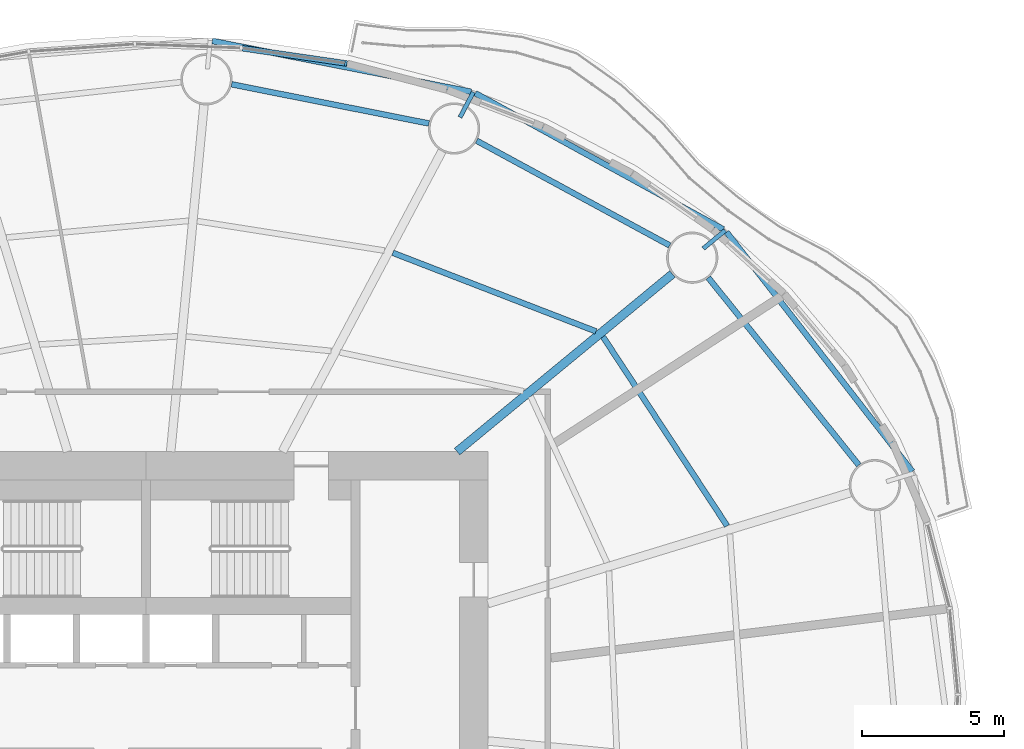
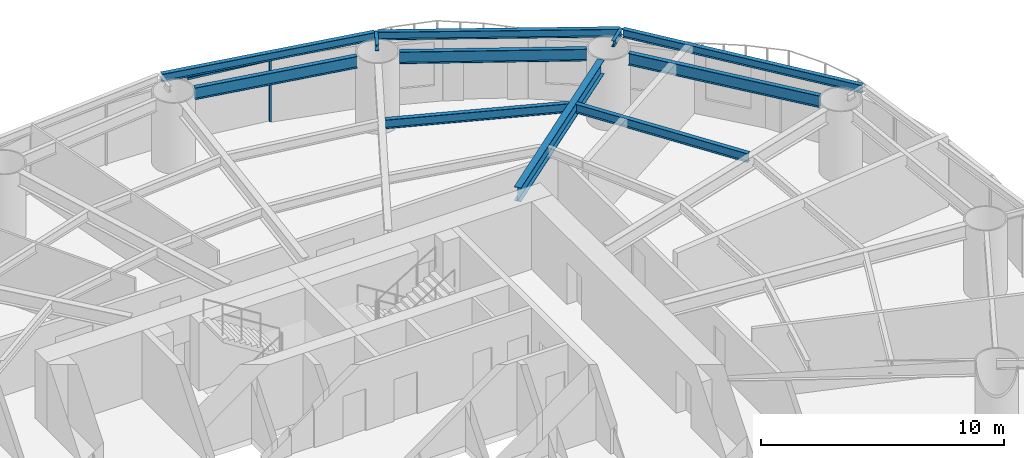
# One storey, part 6 of 17: 11 beams, 2 members, 1 element without a shape of its own.
"""IFC4 building model written with IfcOpenShell, lengths in metres."""

from ifc_helpers import new_model, si_unit, direction, frame, origin, origin_2d, place, context, subcontext, project, spatial, rectangle, i_section, extrude, material, material_profile, profile_set, type_object, element, aggregate, save


model = new_model("IFC4")

# Units and contexts
model_context = context("Model", 3, precision=1e-05, world=origin(), true_north=direction((0.0, 1.0)))
body_context = subcontext(model_context, "Body", "Model", "MODEL_VIEW")
ifc_project = project(units=[si_unit("LENGTHUNIT", "METRE"), si_unit("AREAUNIT", "SQUARE_METRE"), si_unit("VOLUMEUNIT", "CUBIC_METRE"), si_unit("PLANEANGLEUNIT", "RADIAN"), si_unit("MASSUNIT", "GRAM", prefix="KILO")], contexts=[model_context])

# Site, building, storey
site_placement = place(None, origin())
site = spatial("IfcSite", under=ifc_project, at=site_placement, CompositionType="ELEMENT")
building_placement = place(site_placement, origin())
building = spatial("IfcBuilding", under=site, at=building_placement, Name="Vermilion Reach Broadcast Tower", CompositionType="ELEMENT")
storey_placement = place(building_placement, frame((0.0, 0.0, 39.699951171875)))
storey = spatial("IfcBuildingStorey", under=building, at=storey_placement, Name="L06", CompositionType="ELEMENT", Elevation=39.699951171875)

# Beams
ifc_material_1 = material(Name="Steel S355J2", Category="steel")
ifc_material_profile_1 = material_profile(ifc_material_1, i_section(OverallWidth=0.199951171875, OverallDepth=0.39990234375, WebThickness=0.008056640625, FlangeThickness=0.012939453125, at=origin_2d()), Name="S355J2 HN 400x200x8x13")
ifc_profile_set_1 = profile_set([ifc_material_profile_1], Name="Steel S355J2")
beam_type_1 = type_object("IfcBeamType", Name="EB1 HN 400x200x8x13", PredefinedType="BEAM", material=ifc_profile_set_1)
beam_1_placement = place(storey_placement, frame((20.89013671875, 8.3046875, 3.35009765625), z_axis=(-0.613201005057, 0.789926912694, 0.0), x_axis=(-0.789926912694, -0.613201005057, 0.0)))
element("IfcBeam", 1, at=beam_1_placement, inside=storey, type_object=beam_type_1, Name="Edge beam EB1-01", PredefinedType="BEAM", context=body_context, shape_type="SweptSolid", body=[
    extrude(i_section(OverallWidth=0.199951171875, OverallDepth=0.39990234375, WebThickness=0.008056640625, FlangeThickness=0.012939453125, at=origin_2d()), origin(), (0.0, 0.0, 1.0), 10.63037109375),
])
beam_2_placement = place(storey_placement, frame((14.2548828125, 16.800048828125, 3.35009765625), z_axis=(-0.876628386575, 0.481168028709, 0.0), x_axis=(-0.481168028709, -0.876628386575, 0.0)))
element("IfcBeam", 2, at=beam_2_placement, inside=storey, type_object=beam_type_1, Name="Edge beam EB1-02", PredefinedType="BEAM", context=body_context, shape_type="SweptSolid", body=[
    extrude(i_section(OverallWidth=0.199951171875, OverallDepth=0.39990234375, WebThickness=0.008056640625, FlangeThickness=0.012939453125, at=origin_2d()), origin(), (0.0, 0.0, 1.0), 9.927001953125),
])
beam_3_placement = place(storey_placement, frame((5.409912109375, 21.627685546875, 3.35009765625), z_axis=(-0.981310136969, 0.192432884616, 0.0), x_axis=(-0.192432884616, -0.981310136969, 0.0)))
element("IfcBeam", 3, at=beam_3_placement, inside=storey, type_object=beam_type_1, Name="Edge beam EB1-03", PredefinedType="BEAM", context=body_context, shape_type="SweptSolid", body=[
    extrude(i_section(OverallWidth=0.199951171875, OverallDepth=0.39990234375, WebThickness=0.008056640625, FlangeThickness=0.012939453125, at=origin_2d()), origin(), (0.0, 0.0, 1.0), 9.2578125),
])
ifc_material_2 = material(Name="Steel S355J2", Category="steel")
ifc_material_profile_2 = material_profile(ifc_material_2, i_section(OverallWidth=0.300048828125, OverallDepth=0.699951171875, WebThickness=0.012939453125, FlangeThickness=0.02392578125, at=origin_2d()), Name="S355J2 HN 700x300x13x24")
ifc_profile_set_2 = profile_set([ifc_material_profile_2], Name="Steel S355J2")
beam_type_2 = type_object("IfcBeamType", Name="G1 HN 700x300x13x24", PredefinedType="BEAM", material=ifc_profile_set_2)
beam_4_placement = place(storey_placement, frame((4.9140625, 9.0, 3.199951171875), z_axis=(0.771514256373, 0.636212034005, 0.0), x_axis=(-0.636212034005, 0.771514256373, 0.0)))
element("IfcBeam", 4, at=beam_4_placement, inside=storey, type_object=beam_type_2, Name="Girder G1-02", PredefinedType="BEAM", context=body_context, shape_type="SweptSolid", body=[
    extrude(i_section(OverallWidth=0.300048828125, OverallDepth=0.699951171875, WebThickness=0.012939453125, FlangeThickness=0.02392578125, at=origin_2d()), origin(), (0.0, 0.0, 1.0), 9.796142578125),
])
ifc_material_3 = material(Name="Steel S355J2", Category="steel")
ifc_material_profile_3 = material_profile(ifc_material_3, i_section(OverallWidth=0.14990234375, OverallDepth=0.300048828125, WebThickness=0.006591796875, FlangeThickness=0.009033203125, at=origin_2d()), Name="S355J2 HN 300x150x6.5x9")
ifc_profile_set_3 = profile_set([ifc_material_profile_3], Name="Steel S355J2")
beam_type_3 = type_object("IfcBeamType", Name="GS1 HN 300x150x6.5x9", PredefinedType="BEAM", material=ifc_profile_set_3)
for number, where, z_axis, x_axis, name in (
    (5, (13.55419921875, 16.125, 3.400146484375), (0.771493112118, 0.636237674108, 0.0), (-0.636237674108, 0.771493112118, 0.0), "Cantilever stub GS1-02"),
    (6, (5.017578125, 20.7294921875, 3.400146484375), (0.469244476458, 0.883068299348, 0.0), (-0.883068299348, 0.469244476458, 0.0), "Cantilever stub GS1-03"),
):
    element("IfcBeam", number, at=place(storey_placement, frame(where, z_axis=z_axis, x_axis=x_axis)), inside=storey, type_object=beam_type_3, Name=name, PredefinedType="BEAM", context=body_context, shape_type="SweptSolid", body=[
        extrude(i_section(OverallWidth=0.14990234375, OverallDepth=0.300048828125, WebThickness=0.006591796875, FlangeThickness=0.009033203125, at=origin_2d()), origin(), (0.0, 0.0, 1.0), 1.0),
    ])
ifc_material_4 = material(Name="Steel S355J2", Category="steel")
ifc_material_profile_4 = material_profile(ifc_material_4, i_section(OverallWidth=0.199951171875, OverallDepth=0.60009765625, WebThickness=0.010986328125, FlangeThickness=0.01708984375, at=origin_2d()), Name="S355J2 HN 600x200x11x17")
ifc_profile_set_4 = profile_set([ifc_material_profile_4], Name="Steel S355J2")
beam_type_4 = type_object("IfcBeamType", Name="RB1 HN 600x200x11x17", PredefinedType="BEAM", material=ifc_profile_set_4)
beam_5_placement = place(storey_placement, frame((19.011962890625, 8.52587890625, 3.25), z_axis=(-0.626162157191, 0.779692858055, 0.0), x_axis=(-0.779692858055, -0.626162157191, 0.0)))
element("IfcBeam", 7, at=beam_5_placement, inside=storey, type_object=beam_type_4, Name="Ring beam RB1-01", PredefinedType="BEAM", context=body_context, shape_type="SweptSolid", body=[
    extrude(i_section(OverallWidth=0.199951171875, OverallDepth=0.60009765625, WebThickness=0.010986328125, FlangeThickness=0.01708984375, at=origin_2d()), origin(), (0.0, 0.0, 1.0), 8.435791015625),
])
beam_6_placement = place(storey_placement, frame((12.375244140625, 16.234130859375, 3.25), z_axis=(-0.878962319551, 0.476891225344, 0.0), x_axis=(-0.476891225344, -0.878962319551, 0.0)))
element("IfcBeam", 8, at=beam_6_placement, inside=storey, type_object=beam_type_4, Name="Ring beam RB1-02", PredefinedType="BEAM", context=body_context, shape_type="SweptSolid", body=[
    extrude(i_section(OverallWidth=0.199951171875, OverallDepth=0.60009765625, WebThickness=0.010986328125, FlangeThickness=0.01708984375, at=origin_2d()), origin(), (0.0, 0.0, 1.0), 7.707275390625),
])
beam_7_placement = place(storey_placement, frame((3.927001953125, 20.51416015625, 3.25), z_axis=(-0.980857717995, 0.194725799651, 0.0), x_axis=(-0.194725799651, -0.980857717995, 0.0)))
element("IfcBeam", 9, at=beam_7_placement, inside=storey, type_object=beam_type_4, Name="Ring beam RB1-03", PredefinedType="BEAM", context=body_context, shape_type="SweptSolid", body=[
    extrude(i_section(OverallWidth=0.199951171875, OverallDepth=0.60009765625, WebThickness=0.010986328125, FlangeThickness=0.01708984375, at=origin_2d()), origin(), (0.0, 0.0, 1.0), 7.05859375),
])
ifc_material_5 = material(Name="Steel S355J2", Category="steel")
ifc_material_profile_5 = material_profile(ifc_material_5, i_section(OverallWidth=0.199951171875, OverallDepth=0.449951171875, WebThickness=0.009033203125, FlangeThickness=0.013916015625, at=origin_2d()), Name="S355J2 HN 450x200x9x14")
ifc_profile_set_5 = profile_set([ifc_material_profile_5], Name="Steel S355J2")
beam_type_5 = type_object("IfcBeamType", Name="SB1 HN 450x200x9x14", PredefinedType="BEAM", material=ifc_profile_set_5)
beam_8_placement = place(storey_placement, frame((14.390625, 6.394775390625, 3.324951171875), z_axis=(-0.548800909102, 0.835953086105, 0.0), x_axis=(-0.835953086105, -0.548800909102, 0.0)))
element("IfcBeam", 10, at=beam_8_placement, inside=storey, type_object=beam_type_5, Name="Secondary beam SB1-01-2", PredefinedType="BEAM", context=body_context, shape_type="SweptSolid", body=[
    extrude(i_section(OverallWidth=0.199951171875, OverallDepth=0.449951171875, WebThickness=0.009033203125, FlangeThickness=0.013916015625, at=origin_2d()), origin(), (0.0, 0.0, 1.0), 7.935791015625),
])
beam_9_placement = place(storey_placement, frame((9.7919921875, 13.217041015625, 3.324951171875), z_axis=(-0.932680743753, 0.360702966765, 0.0), x_axis=(-0.360702966765, -0.932680743753, 0.0)))
element("IfcBeam", 11, at=beam_9_placement, inside=storey, type_object=beam_type_5, Name="Secondary beam SB1-02-2", PredefinedType="BEAM", context=body_context, shape_type="SweptSolid", body=[
    extrude(i_section(OverallWidth=0.199951171875, OverallDepth=0.449951171875, WebThickness=0.009033203125, FlangeThickness=0.013916015625, at=origin_2d()), origin(), (0.0, 0.0, 1.0), 7.646240234375),
])

# Curtain wall, members
ifc_material_6 = material(Name="Low-e laminated clear glass in aluminium frame", Category="aluminium")
curtain_wall_type = type_object("IfcCurtainWallType", Name="Slot curtain wall", PredefinedType="NOTDEFINED", material=ifc_material_6)
curtain_wall_placement = place(storey_placement, origin())
curtain_wall = element("IfcCurtainWall", 12, at=curtain_wall_placement, inside=storey, type_object=curtain_wall_type, Name="Slot curtain wall L06 10", PredefinedType="NOTDEFINED")
ifc_material_7 = material(Name="Anodised aluminium", Category="aluminium")
ifc_material_profile_6 = material_profile(ifc_material_7, rectangle(XDim=0.199951171875, YDim=0.080078125, at=origin_2d()), Name="Slot mullion 80 x 200")
ifc_profile_set_6 = profile_set([ifc_material_profile_6], Name="Anodised aluminium")
member_type_1 = type_object("IfcMemberType", Name="Slot mullion 80 x 200", PredefinedType="MULLION", material=ifc_profile_set_6)
member_1_placement = place(storey_placement, frame((1.011474609375, 22.623046875, 0.0), z_axis=(0.0, 0.0, 1.0), x_axis=(-0.198358830288, -0.980129468207, 0.0)))
member_1 = element("IfcMember", 13, at=member_1_placement, type_object=member_type_1, Name="Slot mullion L06 10", PredefinedType="MULLION", context=body_context, shape_type="SweptSolid", body=[
    extrude(rectangle(XDim=0.199951171875, YDim=0.080078125, at=origin_2d()), origin(), (0.0, 0.0, 1.0), 3.150146484375),
])
ifc_material_8 = material(Name="Anodised aluminium", Category="aluminium")
ifc_material_profile_7 = material_profile(ifc_material_8, rectangle(XDim=0.199951171875, YDim=0.10009765625, at=origin_2d()), Name="Slot transom 200 x 100")
ifc_profile_set_7 = profile_set([ifc_material_profile_7], Name="Anodised aluminium")
member_type_2 = type_object("IfcMemberType", Name="Slot transom 200 x 100", PredefinedType="USERDEFINED", material=ifc_profile_set_7)
member_2_placement = place(storey_placement, frame((0.971923828125, 22.62890625, 3.10009765625), z_axis=(-0.989535181242, 0.144291805324, 0.0), x_axis=(-0.144291805324, -0.989535181242, 0.0)))
member_2 = element("IfcMember", 14, at=member_2_placement, type_object=member_type_2, Name="Slot transom L06 10.1", ObjectType="TRANSOM", PredefinedType="USERDEFINED", context=body_context, shape_type="SweptSolid", body=[
    extrude(rectangle(XDim=0.199951171875, YDim=0.10009765625, at=origin_2d()), origin(), (0.0, 0.0, 1.0), 3.631103515625),
])
aggregate(curtain_wall, [member_1, member_2])

save(model, "model.ifc")
